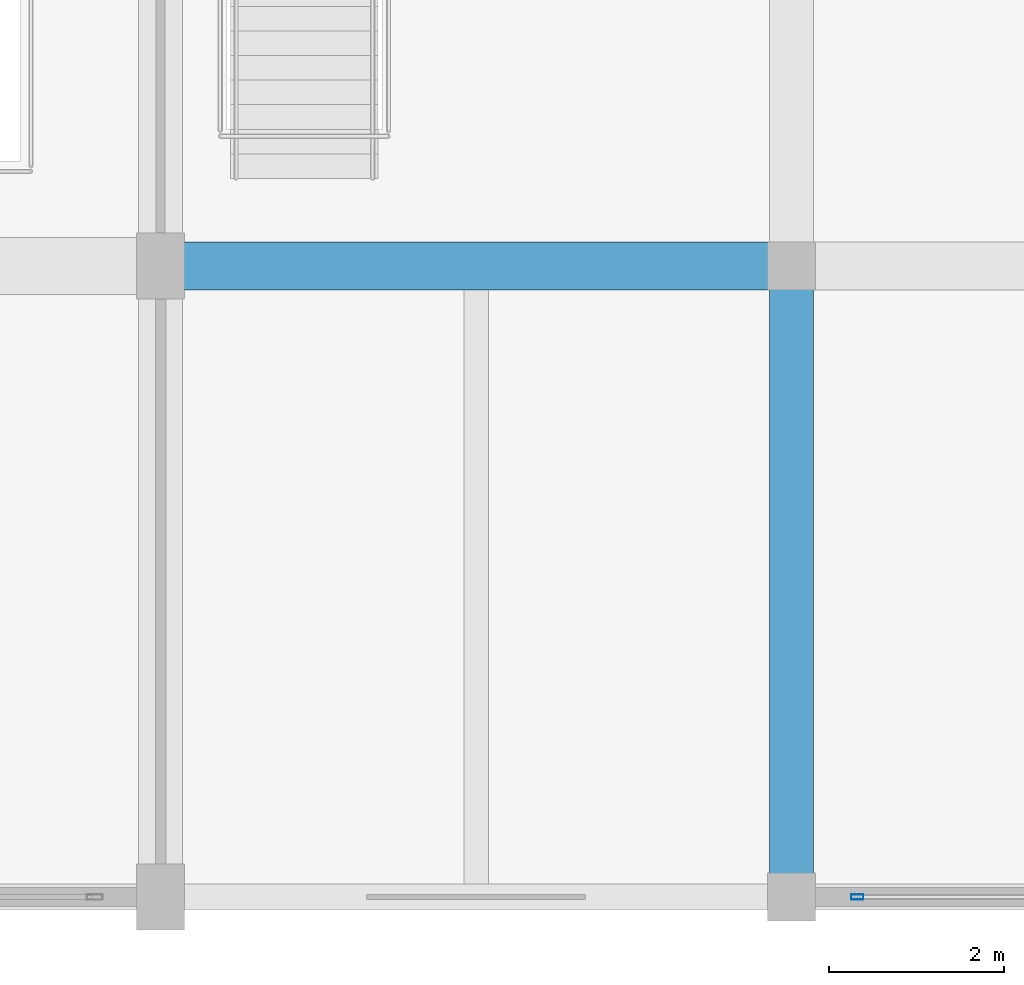
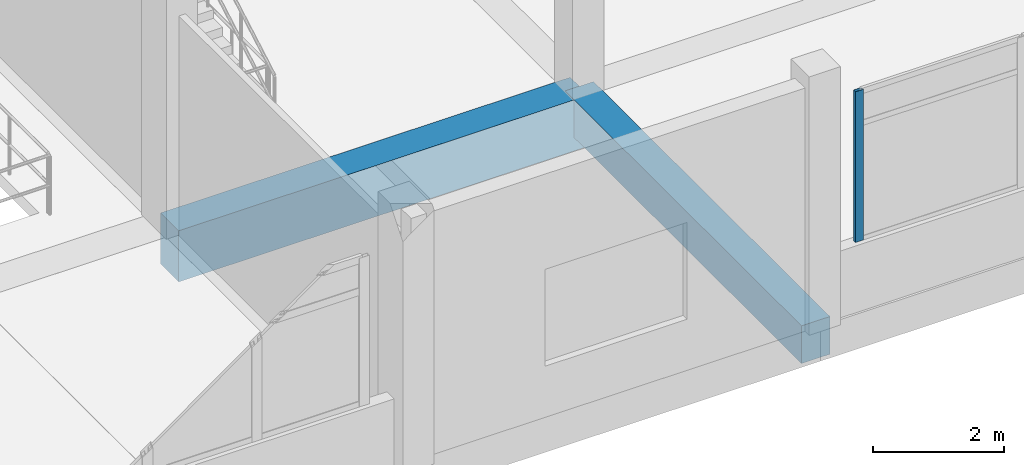
# One storey, part 108 of 181: 2 beams, 1 member, 1 element without a shape of its own.
"""IFC4 building model written with IfcOpenShell, lengths in metres."""

from ifc_helpers import new_model, si_unit, direction, frame, origin, origin_2d, place, context, subcontext, project, spatial, rectangle, hollow_rectangle, extrude, material, layer, layer_set, material_profile, profile_set, type_object, element, aggregate, save


model = new_model("IFC4")

# Units and contexts
model_context = context("Model", 3, precision=1e-05, world=origin(), true_north=direction((0.0, 1.0)))
body_context = subcontext(model_context, "Body", "Model", "MODEL_VIEW")
ifc_project = project(units=[si_unit("LENGTHUNIT", "METRE"), si_unit("AREAUNIT", "SQUARE_METRE"), si_unit("VOLUMEUNIT", "CUBIC_METRE"), si_unit("PLANEANGLEUNIT", "RADIAN"), si_unit("MASSUNIT", "GRAM", prefix="KILO")], contexts=[model_context])

# Site, building, storey
site_placement = place(None, origin())
site = spatial("IfcSite", under=ifc_project, at=site_placement, CompositionType="ELEMENT")
building_placement = place(site_placement, origin())
building = spatial("IfcBuilding", under=site, at=building_placement, Name="Seraya Terrace Polytechnic", CompositionType="ELEMENT")
storey_placement = place(building_placement, frame((0.0, 0.0, 4.800048828125)))
storey = spatial("IfcBuildingStorey", under=building, at=storey_placement, Name="L01", CompositionType="ELEMENT", Elevation=4.800048828125)

# Beams
ifc_material_1 = material(Name="Concrete C40/50", Category="concrete")
ifc_material_profile_1 = material_profile(ifc_material_1, rectangle(XDim=0.550048828125, YDim=0.949951171875, at=origin_2d()), Name="RC 550x950")
ifc_profile_set_1 = profile_set([ifc_material_profile_1], Name="Concrete C40/50")
beam_type_1 = type_object("IfcBeamType", Name="BM-03", PredefinedType="BEAM", material=ifc_profile_set_1)
beam_1_placement = place(storey_placement, frame((151.199951171875, 7.199951171875, -0.47509765625), z_axis=(1.0, 0.0, 0.0), x_axis=(0.0, 1.0, 0.0)))
element("IfcBeam", 1, at=beam_1_placement, inside=storey, type_object=beam_type_1, Name="Beam BM-03 L01 X (151.2..158.4, 7.2)", PredefinedType="BEAM", context=body_context, shape_type="SweptSolid", body=[
    extrude(rectangle(XDim=0.550048828125, YDim=0.949951171875, at=origin_2d()), origin(), (0.0, 0.0, 1.0), 7.199951171875),
])
ifc_material_profile_2 = material_profile(ifc_material_1, rectangle(XDim=0.5, YDim=0.699951171875, at=origin_2d()), Name="RC 500x700")
ifc_profile_set_2 = profile_set([ifc_material_profile_2], Name="Concrete C40/50")
beam_type_2 = type_object("IfcBeamType", Name="BM-07", PredefinedType="BEAM", material=ifc_profile_set_2)
beam_2_placement = place(storey_placement, frame((158.39990234375, 0.0, -0.35009765625), z_axis=(0.0, 1.0, 0.0), x_axis=(-1.0, 0.0, 0.0)))
element("IfcBeam", 2, at=beam_2_placement, inside=storey, type_object=beam_type_2, Name="Beam BM-07 L01 Y (158.4, 0.0..7.2)", PredefinedType="BEAM", context=body_context, shape_type="SweptSolid", body=[
    extrude(rectangle(XDim=0.5, YDim=0.699951171875, at=origin_2d()), origin(), (0.0, 0.0, 1.0), 7.199951171875),
])

# Curtain wall, member
ifc_material_2 = material(Name="Anodised aluminium EN AW-6063 T6", Category="aluminium")
ifc_layer = layer(ifc_material_2, 0.179931640625, Name="CW-27")
ifc_layer_set = layer_set([ifc_layer], Name="Anodised aluminium EN AW-6063 T6")
curtain_wall_type = type_object("IfcCurtainWallType", Name="CW-27", PredefinedType="NOTDEFINED", material=ifc_layer_set)
curtain_wall_placement = place(storey_placement, origin())
curtain_wall = element("IfcCurtainWall", 3, at=curtain_wall_placement, inside=storey, type_object=curtain_wall_type, Name="Unitised curtain wall CW-27 (CW-L01-027)", PredefinedType="NOTDEFINED")
ifc_material_profile_3 = material_profile(ifc_material_2, hollow_rectangle(XDim=0.06005859375, YDim=0.139892578125, WallThickness=0.00341796875, at=origin_2d()), Name="RHS 140x60x3.5")
ifc_profile_set_3 = profile_set([ifc_material_profile_3], Name="Anodised aluminium EN AW-6063 T6")
member_type = type_object("IfcMemberType", Name="CWM-03", PredefinedType="MULLION", material=ifc_profile_set_3)
member_placement = place(storey_placement, frame((159.14990234375, 0.0, 1.239990234375), z_axis=(0.0, 0.0, 1.0), x_axis=(0.0, -1.0, 0.0)))
member = element("IfcMember", 4, at=member_placement, type_object=member_type, Name="CW-27 mullion 3", PredefinedType="MULLION", context=body_context, shape_type="SweptSolid", body=[
    extrude(hollow_rectangle(XDim=0.06005859375, YDim=0.139892578125, WallThickness=0.00341796875, at=origin_2d()), origin(), (0.0, 0.0, 1.0), 2.800048828125),
])
aggregate(curtain_wall, [member])

save(model, "model.ifc")
